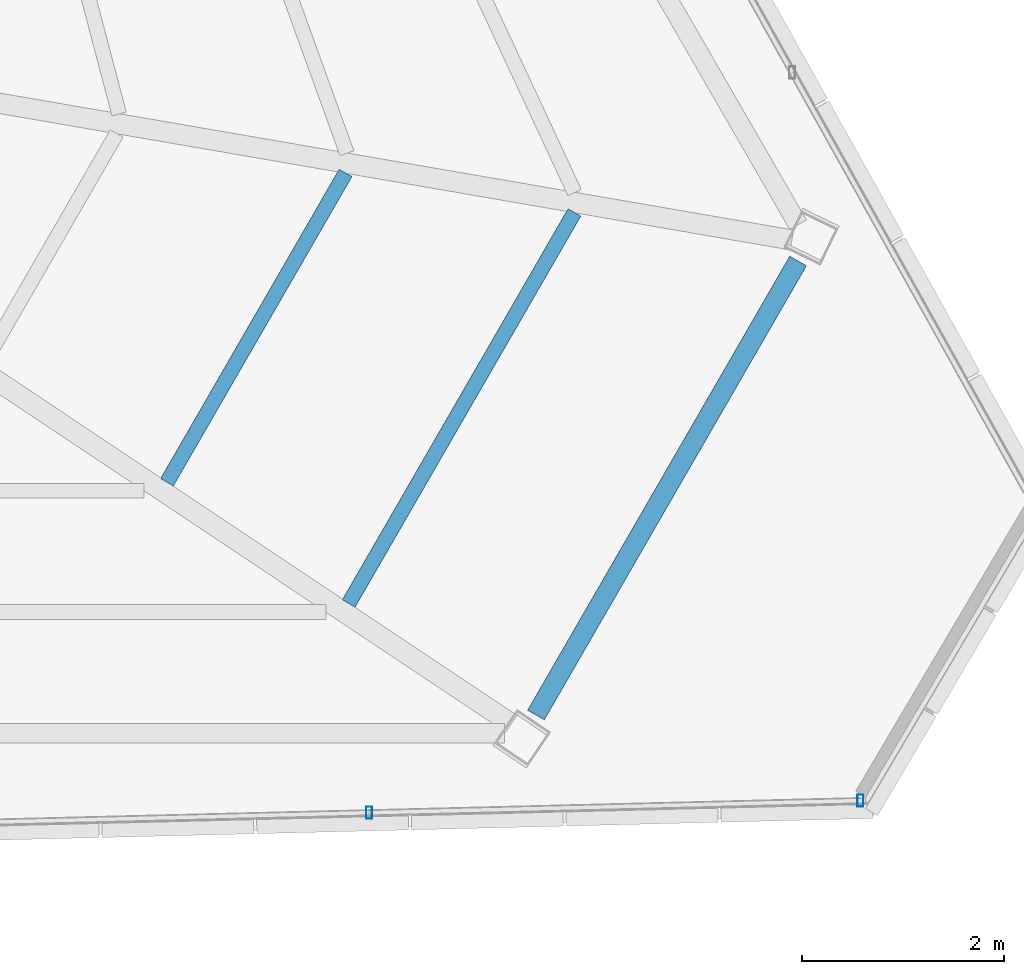
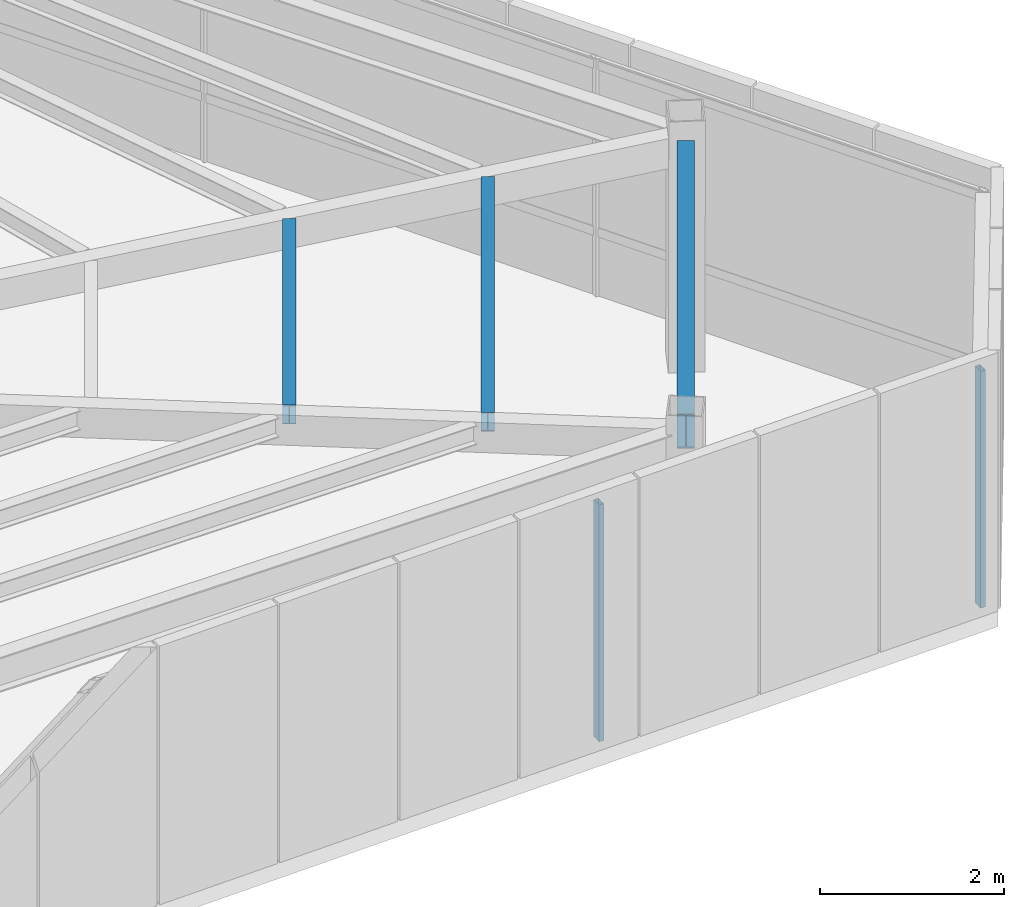
# One storey, part 23 of 44: 3 beams, 2 members, 1 element without a shape of its own.
"""IFC4 building model written with IfcOpenShell, lengths in metres."""

from ifc_helpers import new_model, si_unit, direction, frame, origin, origin_2d, place, context, subcontext, project, spatial, hollow_rectangle, i_section, extrude, source, transform, mapped, material, material_profile, profile_set, type_object, type_shapes, element, aggregate, save


model = new_model("IFC4")

# Units and contexts
model_context = context("Model", 3, precision=1e-05, world=origin(), true_north=direction((0.0, 1.0)))
body_context = subcontext(model_context, "Body", "Model", "MODEL_VIEW")
ifc_project = project(units=[si_unit("LENGTHUNIT", "METRE"), si_unit("AREAUNIT", "SQUARE_METRE"), si_unit("VOLUMEUNIT", "CUBIC_METRE"), si_unit("PLANEANGLEUNIT", "RADIAN"), si_unit("MASSUNIT", "GRAM", prefix="KILO")], contexts=[model_context])

# Site, building, storey
site_placement = place(None, origin())
site = spatial("IfcSite", under=ifc_project, at=site_placement, CompositionType="ELEMENT")
building_placement = place(site_placement, origin())
building = spatial("IfcBuilding", under=site, at=building_placement, Name="Caelisora Broadcast Tower", CompositionType="ELEMENT")
storey_placement = place(building_placement, frame((0.0, 0.0, 296.60009765625)))
storey = spatial("IfcBuildingStorey", under=building, at=storey_placement, Name="L78", CompositionType="ELEMENT", Elevation=296.60009765625)

# Beams
ifc_material_1 = material(Name="Steel Grade 350 (AS/NZS 3679.1)", Category="steel")
ifc_material_profile_1 = material_profile(ifc_material_1, i_section(OverallWidth=0.19091796875, OverallDepth=0.46044921875, WebThickness=0.010009765625, FlangeThickness=0.01611328125, at=origin_2d()), Name="Steel Grade 350 (AS/NZS 3679.1)")
ifc_profile_set_1 = profile_set([ifc_material_profile_1], Name="Steel Grade 350 (AS/NZS 3679.1)")
beam_type_1 = type_object("IfcBeamType", Name="PG06", PredefinedType="BEAM", material=ifc_profile_set_1)
shared_shape_1 = source(origin(), body_context, "Body", "SweptSolid", [
    extrude(i_section(OverallWidth=0.19091796875, OverallDepth=0.46044921875, WebThickness=0.010009765625, FlangeThickness=0.01611328125, at=origin_2d()), origin(), (0.0, 0.0, 1.0), 5.193115234375),
])
type_shapes(beam_type_1, [shared_shape_1])
beam_1_placement = place(storey_placement, frame((56.405029296875, 10.37548828125, 2.919677734375), z_axis=(0.499966621779, 0.866044673852, 0.0), x_axis=(-0.866044673852, 0.499966621779, 0.0)))
element("IfcBeam", 1, at=beam_1_placement, inside=storey, type_object=beam_type_1, Name="L78 beam PG06", PredefinedType="BEAM", context=body_context, shape_type="MappedRepresentation", body=[
    mapped(shared_shape_1, transform((0.0, 0.0, 0.0), scale=1.0)),
])
ifc_material_profile_2 = material_profile(ifc_material_1, i_section(OverallWidth=0.14599609375, OverallDepth=0.256103515625, WebThickness=0.00634765625, FlangeThickness=0.010986328125, at=origin_2d()), Name="Steel Grade 350 (AS/NZS 3679.1)")
ifc_profile_set_2 = profile_set([ifc_material_profile_2], Name="Steel Grade 350 (AS/NZS 3679.1)")
beam_type_2 = type_object("IfcBeamType", Name="SB04", PredefinedType="JOIST", material=ifc_profile_set_2)
shared_shape_2 = source(origin(), body_context, "Body", "SweptSolid", [
    extrude(i_section(OverallWidth=0.14599609375, OverallDepth=0.256103515625, WebThickness=0.00634765625, FlangeThickness=0.010986328125, at=origin_2d()), origin(), (0.0, 0.0, 1.0), 3.53857421875),
])
beam_2_placement = place(storey_placement, frame((52.749267578125, 12.68115234375, 3.021728515625), z_axis=(0.500005144645, 0.866022433502, 0.0), x_axis=(-0.866022433502, 0.500005144645, 0.0)))
element("IfcBeam", 2, at=beam_2_placement, inside=storey, type_object=beam_type_2, Name="L78 beam SB04", PredefinedType="JOIST", context=body_context, shape_type="MappedRepresentation", body=[
    mapped(shared_shape_2, transform((0.0, 0.0, 0.0), scale=1.0)),
])
shared_shape_3 = source(origin(), body_context, "Body", "SweptSolid", [
    extrude(i_section(OverallWidth=0.14599609375, OverallDepth=0.256103515625, WebThickness=0.00634765625, FlangeThickness=0.010986328125, at=origin_2d()), origin(), (0.0, 0.0, 1.0), 4.473388671875),
])
type_shapes(beam_type_2, [shared_shape_2, shared_shape_3])
beam_3_placement = place(storey_placement, frame((54.549560546875, 11.48046875, 3.021728515625), z_axis=(0.499983869355, 0.866034716616, 0.0), x_axis=(-0.866034716616, 0.499983869355, 0.0)))
element("IfcBeam", 3, at=beam_3_placement, inside=storey, type_object=beam_type_2, Name="L78 beam SB04", PredefinedType="JOIST", context=body_context, shape_type="MappedRepresentation", body=[
    mapped(shared_shape_3, transform((0.0, 0.0, 0.0), scale=1.0)),
])

# Curtain wall, members
ifc_material_2 = material(Name="Unitised Aluminium Insulated Shadow-Box Spandrel Curtain Wall", Category="aluminium")
curtain_wall_type = type_object("IfcCurtainWallType", Name="CW-SP3", PredefinedType="NOTDEFINED", material=ifc_material_2)
curtain_wall_placement = place(storey_placement, origin())
curtain_wall = element("IfcCurtainWall", 4, at=curtain_wall_placement, inside=storey, type_object=curtain_wall_type, Name="L78 curtain wall CW-SP3", PredefinedType="NOTDEFINED")
ifc_material_3 = material(Name="Aluminium 6063-T6 Anodised Terracotta Bronze", Category="aluminium")
ifc_material_profile_3 = material_profile(ifc_material_3, hollow_rectangle(XDim=0.06005859375, YDim=0.1201171875, WallThickness=0.0029296875, at=origin_2d()), Name="Aluminium 6063-T6 Anodised Terracotta Bronze")
ifc_profile_set_3 = profile_set([ifc_material_profile_3], Name="Aluminium 6063-T6 Anodised Terracotta Bronze")
member_type = type_object("IfcMemberType", Name="CWM-04", PredefinedType="MULLION", material=ifc_profile_set_3)
shared_shape_4 = source(origin(), body_context, "Body", "SweptSolid", [
    extrude(hollow_rectangle(XDim=0.06005859375, YDim=0.1201171875, WallThickness=0.0029296875, at=origin_2d()), origin(), (0.0, 0.0, 1.0), 3.14990234375),
])
type_shapes(member_type, [shared_shape_4])
member_1_placement = place(storey_placement, frame((59.618896484375, 9.52783203125, 0.0), z_axis=(0.0, 0.0, 1.0), x_axis=(1.0, 0.0, 0.0)))
member_1 = element("IfcMember", 5, at=member_1_placement, type_object=member_type, Name="L78-CW-B05 mullion #0", PredefinedType="MULLION", context=body_context, shape_type="MappedRepresentation", body=[
    mapped(shared_shape_4, transform((0.0, 0.0, 0.0), scale=1.0)),
])
member_2_placement = place(storey_placement, frame((54.751220703125, 9.407470703125, 0.0), z_axis=(0.0, 0.0, 1.0), x_axis=(1.0, 0.0, 0.0)))
member_2 = element("IfcMember", 6, at=member_2_placement, type_object=member_type, Name="L78-CW-B05 mullion #1", PredefinedType="MULLION", context=body_context, shape_type="MappedRepresentation", body=[
    mapped(shared_shape_4, transform((0.0, 0.0, 0.0), scale=1.0)),
])
aggregate(curtain_wall, [member_1, member_2])

save(model, "model.ifc")
